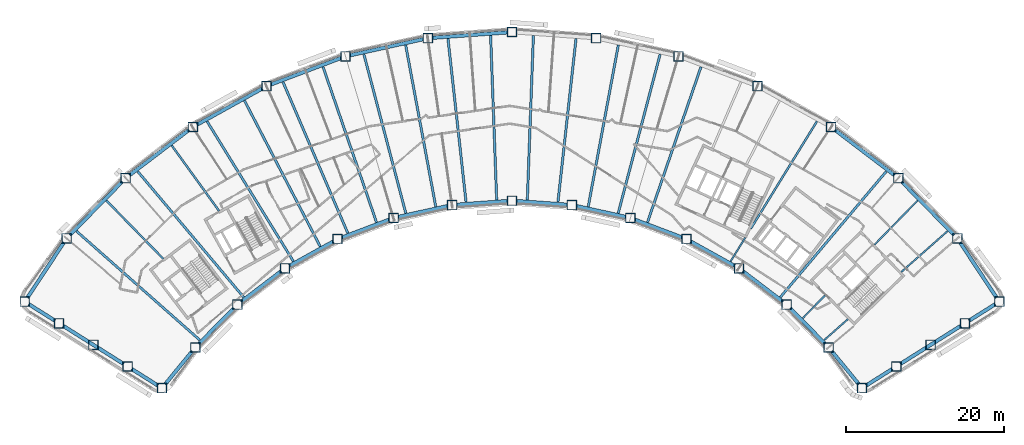
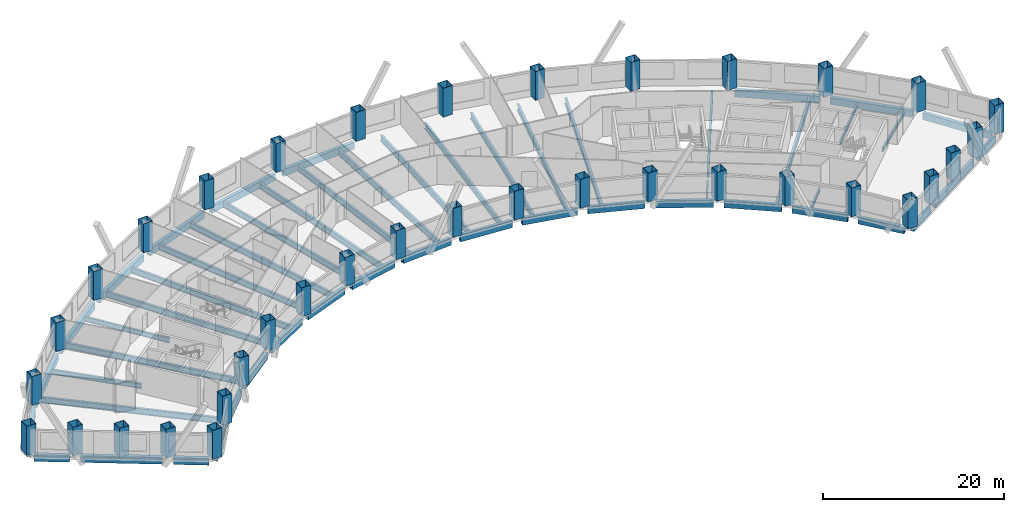
# One storey, part 1 of 12: 54 beams, 36 columns.
"""IFC4 building model written with IfcOpenShell, lengths in metres."""

from ifc_helpers import new_model, si_unit, direction, frame, origin, origin_2d, place, context, subcontext, project, spatial, hollow_rectangle, i_section, extrude, material, material_profile, profile_set, type_object, element, save


model = new_model("IFC4")

# Units and contexts
model_context = context("Model", 3, precision=1e-05, world=origin(), true_north=direction((0.0, 1.0)))
body_context = subcontext(model_context, "Body", "Model", "MODEL_VIEW")
ifc_project = project(units=[si_unit("LENGTHUNIT", "METRE"), si_unit("AREAUNIT", "SQUARE_METRE"), si_unit("VOLUMEUNIT", "CUBIC_METRE"), si_unit("PLANEANGLEUNIT", "RADIAN"), si_unit("MASSUNIT", "GRAM", prefix="KILO")], contexts=[model_context])

# Site, building, storey
site_placement = place(None, origin())
site = spatial("IfcSite", under=ifc_project, at=site_placement, CompositionType="ELEMENT")
building_placement = place(site_placement, origin())
building = spatial("IfcBuilding", under=site, at=building_placement, Name="Tuul Gate Civic Tower", CompositionType="ELEMENT")
storey_placement = place(building_placement, frame((0.0, 0.0, 73.800048828125)))
storey = spatial("IfcBuildingStorey", under=building, at=storey_placement, Name="Level 16", CompositionType="ELEMENT", Elevation=73.800048828125)

# Columns
ifc_material_1 = material(Name="Steel S355", Category="steel")
ifc_material_profile_1 = material_profile(ifc_material_1, hollow_rectangle(XDim=1.199951171875, YDim=1.199951171875, WallThickness=0.0400390625, at=origin_2d()), Name="BOX1200x1200x40")
ifc_profile_set_1 = profile_set([ifc_material_profile_1], Name="Steel S355")
column_type = type_object("IfcColumnType", Name="STR-COLUMN-BOX1200x1200x40", PredefinedType="COLUMN", material=ifc_profile_set_1)
for number, where, z_axis, x_axis, name in (
    (1, (66.47900390625, -15.4208984375, 0.0), (0.0, 0.0, 1.0), (1.0, 0.0, 0.0), "Column"),
    (2, (61.179931640625, -7.408935546875, 0.0), (0.0, 0.0, 1.0), (1.0, 0.0, 0.0), "Column"),
    (3, (53.7060546875, 0.216064453125, 0.0), (0.0, 0.0, 1.0), (1.0, 0.0, 0.0), "Column"),
    (4, (45.2109375, 6.68408203125, 0.0), (0.0, 0.0, 1.0), (1.0, 0.0, 0.0), "Column"),
    (5, (35.8720703125, 11.861083984375, 0.0), (0.0, 0.0, 1.0), (1.0, 0.0, 0.0), "Column"),
    (6, (25.885009765625, 15.636962890625, 0.0), (0.0, 0.0, 1.0), (1.0, 0.0, 0.0), "Column"),
    (7, (15.4580078125, 17.93505859375, 0.0), (0.0, 0.0, 1.0), (1.0, 0.0, 0.0), "Column"),
    (8, (4.80810546875, 18.70703125, 0.0), (0.0, 0.0, 1.0), (1.0, 0.0, 0.0), "Column"),
    (9, (-5.841064453125, 17.93505859375, 0.0), (0.0, 0.0, 1.0), (1.0, 0.0, 0.0), "Column"),
    (10, (-16.26806640625, 15.636962890625, 0.0), (0.0, 0.0, 1.0), (1.0, 0.0, 0.0), "Column"),
    (11, (-26.2548828125, 11.861083984375, 0.0), (0.0, 0.0, 1.0), (1.0, 0.0, 0.0), "Column"),
    (12, (-35.593994140625, 6.68408203125, 0.0), (0.0, 0.0, 1.0), (1.0, 0.0, 0.0), "Column"),
    (13, (-44.089111328125, 0.216064453125, 0.0), (0.0, 0.0, 1.0), (1.0, 0.0, 0.0), "Column"),
    (14, (-51.56396484375, -7.408935546875, 0.0), (0.0, 0.0, 1.0), (1.0, 0.0, 0.0), "Column"),
    (15, (-56.863037109375, -15.4208984375, 0.0), (0.0, 0.0, 1.0), (1.0, 0.0, 0.0), "Column"),
    (16, (-52.52001953125, -18.156005859375, 0.0), (0.0, 0.0, 1.0), (1.0, 0.0, 0.0), "Column"),
    (17, (-48.177978515625, -20.89111328125, 0.0), (0.0, 0.0, 1.0), (1.0, 0.0, 0.0), "Column"),
    (18, (-43.8349609375, -23.625, 0.0), (0.0, 0.0, 1.0), (1.0, 0.0, 0.0), "Column"),
    (19, (-39.492919921875, -26.360107421875, 0.0), (0.0, 0.0, 1.0), (1.0, 0.0, 0.0), "Column"),
    (20, (-35.27294921875, -21.218017578125, 0.0), (0.0, 0.0, 1.0), (1.0, 0.0, 0.0), "Column"),
    (21, (-29.9580078125, -15.7958984375, 0.0), (0.0, 0.0, 1.0), (1.0, 0.0, 0.0), "Column"),
    (22, (-23.91796875, -11.197021484375, 0.0), (0.0, 0.0, 1.0), (1.0, 0.0, 0.0), "Column"),
    (23, (-17.278076171875, -7.51708984375, 0.0), (0.0, 0.0, 1.0), (1.0, 0.0, 0.0), "Column"),
    (24, (-10.177001953125, -4.8310546875, 0.0), (0.0, 0.0, 1.0), (1.0, 0.0, 0.0), "Column"),
    (25, (-2.763916015625, -3.197998046875, 0.0), (0.0, 0.0, 1.0), (1.0, 0.0, 0.0), "Column"),
    (26, (4.80810546875, -2.64892578125, 0.0), (0.0, 0.0, 1.0), (1.0, 0.0, 0.0), "Column"),
    (27, (12.3798828125, -3.197998046875, 0.0), (0.0, 0.0, 1.0), (1.0, 0.0, 0.0), "Column"),
    (28, (19.7939453125, -4.8310546875, 0.0), (0.0, 0.0, 1.0), (1.0, 0.0, 0.0), "Column"),
    (29, (26.89501953125, -7.51708984375, 0.0), (0.0, 0.0, 1.0), (1.0, 0.0, 0.0), "Column"),
    (30, (33.534912109375, -11.197021484375, 0.0), (0.0, 0.0, 1.0), (1.0, 0.0, 0.0), "Column"),
    (31, (39.574951171875, -15.7958984375, 0.0), (0.0, 0.0, 1.0), (1.0, 0.0, 0.0), "Column"),
    (32, (44.888916015625, -21.218017578125, 0.0), (0.0, 0.0, 1.0), (1.0, 0.0, 0.0), "Column"),
    (33, (49.10888671875, -26.360107421875, 0.0), (0.0, 0.0, 1.0), (1.0, 0.0, 0.0), "Column"),
    (34, (53.451904296875, -23.625, 0.0), (0.0, 0.0, 1.0), (1.0, 0.0, 0.0), "Column"),
    (35, (57.7939453125, -20.89111328125, 0.0), (0.0, 0.0, 1.0), (1.0, 0.0, 0.0), "Column"),
    (36, (62.136962890625, -18.156005859375, 0.0), (0.0, 0.0, 1.0), (1.0, 0.0, 0.0), "Column"),
):
    element("IfcColumn", number, at=place(storey_placement, frame(where, z_axis=z_axis, x_axis=x_axis)), inside=storey, type_object=column_type, Name=name, PredefinedType="COLUMN", context=body_context, shape_type="SweptSolid", body=[
        extrude(hollow_rectangle(XDim=1.199951171875, YDim=1.199951171875, WallThickness=0.0400390625, at=origin_2d()), origin(), (0.0, 0.0, 1.0), 3.89990234375),
    ])

# Beams
ifc_material_2 = material(Name="Steel S355", Category="steel")
ifc_material_profile_2 = material_profile(ifc_material_2, i_section(OverallWidth=0.199951171875, OverallDepth=0.5, WebThickness=0.010009765625, FlangeThickness=0.01611328125, at=origin_2d()), Name="PG500x200x10x16")
ifc_profile_set_2 = profile_set([ifc_material_profile_2], Name="Steel S355")
beam_type_1 = type_object("IfcBeamType", Name="STR-FLOOR BEAM-PG500x200x10x16", PredefinedType="BEAM", material=ifc_profile_set_2)
beam_1_placement = place(storey_placement, frame((44.323486328125, -20.28369140625, -0.550048828125), z_axis=(0.749461130255, 0.662048347356, 0.0), x_axis=(-0.662048347356, 0.749461130255, 0.0)))
element("IfcBeam", 37, at=beam_1_placement, inside=storey, type_object=beam_type_1, Name="Floor beam", PredefinedType="BEAM", context=body_context, shape_type="SweptSolid", body=[
    extrude(i_section(OverallWidth=0.199951171875, OverallDepth=0.5, WebThickness=0.010009765625, FlangeThickness=0.01611328125, at=origin_2d()), origin(), (0.0, 0.0, 1.0), 4.0107421875),
])
beam_2_placement = place(storey_placement, frame((54.083251953125, -11.661865234375, -0.550048828125), z_axis=(0.749435188798, 0.662077712803, 0.0), x_axis=(-0.662077712803, 0.749435188798, 0.0)))
element("IfcBeam", 38, at=beam_2_placement, inside=storey, type_object=beam_type_1, Name="Floor beam", PredefinedType="BEAM", context=body_context, shape_type="SweptSolid", body=[
    extrude(i_section(OverallWidth=0.199951171875, OverallDepth=0.5, WebThickness=0.010009765625, FlangeThickness=0.01611328125, at=origin_2d()), origin(), (0.0, 0.0, 1.0), 7.8056640625),
])
beam_3_placement = place(storey_placement, frame((41.606201171875, -17.511474609375, -0.550048828125), z_axis=(0.698677872804, 0.71543639134, 0.0), x_axis=(-0.71543639134, 0.698677872804, 0.0)))
element("IfcBeam", 39, at=beam_3_placement, inside=storey, type_object=beam_type_1, Name="Floor beam", PredefinedType="BEAM", context=body_context, shape_type="SweptSolid", body=[
    extrude(i_section(OverallWidth=0.199951171875, OverallDepth=0.5, WebThickness=0.010009765625, FlangeThickness=0.01611328125, at=origin_2d()), origin(), (0.0, 0.0, 1.0), 4.00634765625),
])
beam_4_placement = place(storey_placement, frame((50.69482421875, -8.205078125, -0.550048828125), z_axis=(0.698665360958, 0.715448609893, 0.0), x_axis=(-0.715448609893, 0.698665360958, 0.0)))
element("IfcBeam", 40, at=beam_4_placement, inside=storey, type_object=beam_type_1, Name="Floor beam", PredefinedType="BEAM", context=body_context, shape_type="SweptSolid", body=[
    extrude(i_section(OverallWidth=0.199951171875, OverallDepth=0.5, WebThickness=0.010009765625, FlangeThickness=0.01611328125, at=origin_2d()), origin(), (0.0, 0.0, 1.0), 7.797119140625),
])
beam_5_placement = place(storey_placement, frame((32.47412109375, -10.3232421875, -0.550048828125), z_axis=(0.524881180779, 0.851175508379, 0.0), x_axis=(-0.851175508379, 0.524881180779, 0.0)))
element("IfcBeam", 41, at=beam_5_placement, inside=storey, type_object=beam_type_1, Name="Floor beam", PredefinedType="BEAM", context=body_context, shape_type="SweptSolid", body=[
    extrude(i_section(OverallWidth=0.199951171875, OverallDepth=0.5, WebThickness=0.010009765625, FlangeThickness=0.01611328125, at=origin_2d()), origin(), (0.0, 0.0, 1.0), 3.527099609375),
])
ifc_material_3 = material(Name="Steel S355", Category="steel")
ifc_material_profile_3 = material_profile(ifc_material_3, i_section(OverallWidth=0.25, OverallDepth=0.64990234375, WebThickness=0.011962890625, FlangeThickness=0.02001953125, at=origin_2d()), Name="PG650x250x12x20")
ifc_profile_set_3 = profile_set([ifc_material_profile_3], Name="Steel S355")
beam_type_2 = type_object("IfcBeamType", Name="STR-FLOOR BEAM-PG650x250x12x20", PredefinedType="BEAM", material=ifc_profile_set_3)
beam_6_placement = place(storey_placement, frame((35.022216796875, -6.19091796875, -0.625), z_axis=(0.52485048584, 0.851194435786, 0.0), x_axis=(-0.851194435786, 0.52485048584, 0.0)))
element("IfcBeam", 42, at=beam_6_placement, inside=storey, type_object=beam_type_2, Name="Floor beam", PredefinedType="BEAM", context=body_context, shape_type="SweptSolid", body=[
    extrude(i_section(OverallWidth=0.25, OverallDepth=0.64990234375, WebThickness=0.011962890625, FlangeThickness=0.02001953125, at=origin_2d()), origin(), (0.0, 0.0, 1.0), 15.967529296875),
])
beam_7_placement = place(storey_placement, frame((-32.2705078125, -3.930419921875, -0.625), z_axis=(-0.586085724812, 0.81024905009, 0.0), x_axis=(-0.81024905009, -0.586085724812, 0.0)))
element("IfcBeam", 43, at=beam_7_placement, inside=storey, type_object=beam_type_2, Name="Floor beam", PredefinedType="BEAM", context=body_context, shape_type="SweptSolid", body=[
    extrude(i_section(OverallWidth=0.25, OverallDepth=0.64990234375, WebThickness=0.011962890625, FlangeThickness=0.02001953125, at=origin_2d()), origin(), (0.0, 0.0, 1.0), 10.211669921875),
])
beam_8_placement = place(storey_placement, frame((-39.3271484375, -9.998291015625, -0.625), z_axis=(-0.698680863585, 0.715433470604, 0.0), x_axis=(-0.715433470604, -0.698680863585, 0.0)))
element("IfcBeam", 44, at=beam_8_placement, inside=storey, type_object=beam_type_2, Name="Floor beam", PredefinedType="BEAM", context=body_context, shape_type="SweptSolid", body=[
    extrude(i_section(OverallWidth=0.25, OverallDepth=0.64990234375, WebThickness=0.011962890625, FlangeThickness=0.02001953125, at=origin_2d()), origin(), (0.0, 0.0, 1.0), 10.30322265625),
])
ifc_material_4 = material(Name="Steel S355", Category="steel")
ifc_material_profile_4 = material_profile(ifc_material_4, i_section(OverallWidth=0.300048828125, OverallDepth=0.800048828125, WebThickness=0.013916015625, FlangeThickness=0.02490234375, at=origin_2d()), Name="PG800x300x14x25")
ifc_profile_set_4 = profile_set([ifc_material_profile_4], Name="Steel S355")
beam_type_3 = type_object("IfcBeamType", Name="STR-FLOOR BEAM-PG800x300x14x25", PredefinedType="BEAM", material=ifc_profile_set_4)
beam_9_placement = place(storey_placement, frame((38.76611328125, -14.86572265625, -0.699951171875), z_axis=(0.644123110179, 0.764921838447, 0.0), x_axis=(-0.764921838447, 0.644123110179, 0.0)))
element("IfcBeam", 45, at=beam_9_placement, inside=storey, type_object=beam_type_3, Name="Floor beam", PredefinedType="BEAM", context=body_context, shape_type="SweptSolid", body=[
    extrude(i_section(OverallWidth=0.300048828125, OverallDepth=0.800048828125, WebThickness=0.013916015625, FlangeThickness=0.02490234375, at=origin_2d()), origin(), (0.0, 0.0, 1.0), 20.824951171875),
])
beam_10_placement = place(storey_placement, frame((21.954345703125, -5.380859375, -0.699951171875), z_axis=(0.325483706592, 0.945547649113, 0.0), x_axis=(-0.945547649113, 0.325483706592, 0.0)))
element("IfcBeam", 46, at=beam_10_placement, inside=storey, type_object=beam_type_3, Name="Floor beam", PredefinedType="BEAM", context=body_context, shape_type="SweptSolid", body=[
    extrude(i_section(OverallWidth=0.300048828125, OverallDepth=0.800048828125, WebThickness=0.013916015625, FlangeThickness=0.02490234375, at=origin_2d()), origin(), (0.0, 0.0, 1.0), 20.808837890625),
])
beam_11_placement = place(storey_placement, frame((18.246826171875, -4.234130859375, -0.699951171875), z_axis=(0.255002430405, 0.966940412067, 0.0), x_axis=(-0.966940412067, 0.255002430405, 0.0)))
element("IfcBeam", 47, at=beam_11_placement, inside=storey, type_object=beam_type_3, Name="Floor beam", PredefinedType="BEAM", context=body_context, shape_type="SweptSolid", body=[
    extrude(i_section(OverallWidth=0.300048828125, OverallDepth=0.800048828125, WebThickness=0.013916015625, FlangeThickness=0.02490234375, at=origin_2d()), origin(), (0.0, 0.0, 1.0), 20.81689453125),
])
beam_12_placement = place(storey_placement, frame((14.45654296875, -3.3994140625, -0.699951171875), z_axis=(0.1831360046, 0.983087587054, 0.0), x_axis=(-0.983087587054, 0.1831360046, 0.0)))
element("IfcBeam", 48, at=beam_12_placement, inside=storey, type_object=beam_type_3, Name="Floor beam", PredefinedType="BEAM", context=body_context, shape_type="SweptSolid", body=[
    extrude(i_section(OverallWidth=0.300048828125, OverallDepth=0.800048828125, WebThickness=0.013916015625, FlangeThickness=0.02490234375, at=origin_2d()), origin(), (0.0, 0.0, 1.0), 20.811279296875),
])
beam_13_placement = place(storey_placement, frame((10.619384765625, -2.819580078125, -0.699951171875), z_axis=(0.1102757583, 0.993901029847, 0.0), x_axis=(-0.993901029847, 0.1102757583, 0.0)))
element("IfcBeam", 49, at=beam_13_placement, inside=storey, type_object=beam_type_3, Name="Floor beam", PredefinedType="BEAM", context=body_context, shape_type="SweptSolid", body=[
    extrude(i_section(OverallWidth=0.300048828125, OverallDepth=0.800048828125, WebThickness=0.013916015625, FlangeThickness=0.02490234375, at=origin_2d()), origin(), (0.0, 0.0, 1.0), 20.815185546875),
])
for number, where, z_axis, x_axis, name in (
    (50, (6.74853515625, -2.5390625, -0.699951171875), (0.036832478792, 0.999321454041, 0.0), (-0.999321454041, 0.036832478792, 0.0), "Floor beam"),
    (51, (2.867919921875, -2.5390625, -0.699951171875), (-0.036832478792, 0.999321454041, 0.0), (-0.999321454041, -0.036832478792, 0.0), "Floor beam"),
):
    element("IfcBeam", number, at=place(storey_placement, frame(where, z_axis=z_axis, x_axis=x_axis)), inside=storey, type_object=beam_type_3, Name=name, PredefinedType="BEAM", context=body_context, shape_type="SweptSolid", body=[
        extrude(i_section(OverallWidth=0.300048828125, OverallDepth=0.800048828125, WebThickness=0.013916015625, FlangeThickness=0.02490234375, at=origin_2d()), origin(), (0.0, 0.0, 1.0), 20.813232421875),
    ])
beam_14_placement = place(storey_placement, frame((-1.0029296875, -2.819580078125, -0.699951171875), z_axis=(-0.110287344613, 0.993899744249, 0.0), x_axis=(-0.993899744249, -0.110287344613, 0.0)))
element("IfcBeam", 52, at=beam_14_placement, inside=storey, type_object=beam_type_3, Name="Floor beam", PredefinedType="BEAM", context=body_context, shape_type="SweptSolid", body=[
    extrude(i_section(OverallWidth=0.300048828125, OverallDepth=0.800048828125, WebThickness=0.013916015625, FlangeThickness=0.02490234375, at=origin_2d()), origin(), (0.0, 0.0, 1.0), 20.815185546875),
])
beam_15_placement = place(storey_placement, frame((-4.84033203125, -3.3994140625, -0.699951171875), z_axis=(-0.183138116697, 0.983087193596, 0.0), x_axis=(-0.983087193596, -0.183138116697, 0.0)))
element("IfcBeam", 53, at=beam_15_placement, inside=storey, type_object=beam_type_3, Name="Floor beam", PredefinedType="BEAM", context=body_context, shape_type="SweptSolid", body=[
    extrude(i_section(OverallWidth=0.300048828125, OverallDepth=0.800048828125, WebThickness=0.013916015625, FlangeThickness=0.02490234375, at=origin_2d()), origin(), (0.0, 0.0, 1.0), 20.81103515625),
])
beam_16_placement = place(storey_placement, frame((-8.63037109375, -4.234375, -0.699951171875), z_axis=(-0.255002430405, 0.966940412067, 0.0), x_axis=(-0.966940412067, -0.255002430405, 0.0)))
element("IfcBeam", 54, at=beam_16_placement, inside=storey, type_object=beam_type_3, Name="Floor beam", PredefinedType="BEAM", context=body_context, shape_type="SweptSolid", body=[
    extrude(i_section(OverallWidth=0.300048828125, OverallDepth=0.800048828125, WebThickness=0.013916015625, FlangeThickness=0.02490234375, at=origin_2d()), origin(), (0.0, 0.0, 1.0), 20.81689453125),
])
beam_17_placement = place(storey_placement, frame((-12.337890625, -5.381103515625, -0.699951171875), z_axis=(-0.325490585261, 0.945545281257, 0.0), x_axis=(-0.945545281257, -0.325490585261, 0.0)))
element("IfcBeam", 55, at=beam_17_placement, inside=storey, type_object=beam_type_3, Name="Floor beam", PredefinedType="BEAM", context=body_context, shape_type="SweptSolid", body=[
    extrude(i_section(OverallWidth=0.300048828125, OverallDepth=0.800048828125, WebThickness=0.013916015625, FlangeThickness=0.02490234375, at=origin_2d()), origin(), (0.0, 0.0, 1.0), 20.80908203125),
])
beam_18_placement = place(storey_placement, frame((-15.968017578125, -6.754150390625, -0.699951171875), z_axis=(-0.39421223202, 0.919019431854, 0.0), x_axis=(-0.919019431854, -0.39421223202, 0.0)))
element("IfcBeam", 56, at=beam_18_placement, inside=storey, type_object=beam_type_3, Name="Floor beam", PredefinedType="BEAM", context=body_context, shape_type="SweptSolid", body=[
    extrude(i_section(OverallWidth=0.300048828125, OverallDepth=0.800048828125, WebThickness=0.013916015625, FlangeThickness=0.02490234375, at=origin_2d()), origin(), (0.0, 0.0, 1.0), 20.820068359375),
])
beam_19_placement = place(storey_placement, frame((-19.462890625, -8.442138671875, -0.699951171875), z_axis=(-0.460776704907, 0.887516100257, 0.0), x_axis=(-0.887516100257, -0.460776704907, 0.0)))
element("IfcBeam", 57, at=beam_19_placement, inside=storey, type_object=beam_type_3, Name="Floor beam", PredefinedType="BEAM", context=body_context, shape_type="SweptSolid", body=[
    extrude(i_section(OverallWidth=0.300048828125, OverallDepth=0.800048828125, WebThickness=0.013916015625, FlangeThickness=0.02490234375, at=origin_2d()), origin(), (0.0, 0.0, 1.0), 20.80810546875),
])
beam_20_placement = place(storey_placement, frame((-22.857666015625, -10.323486328125, -0.699951171875), z_axis=(-0.524858688135, 0.851189378158, 0.0), x_axis=(-0.851189378158, -0.524858688135, 0.0)))
element("IfcBeam", 58, at=beam_20_placement, inside=storey, type_object=beam_type_3, Name="Floor beam", PredefinedType="BEAM", context=body_context, shape_type="SweptSolid", body=[
    extrude(i_section(OverallWidth=0.300048828125, OverallDepth=0.800048828125, WebThickness=0.013916015625, FlangeThickness=0.02490234375, at=origin_2d()), origin(), (0.0, 0.0, 1.0), 20.822265625),
])
beam_21_placement = place(storey_placement, frame((-29.1494140625, -14.8662109375, -0.699951171875), z_axis=(-0.644129969572, 0.764916062257, 0.0), x_axis=(-0.764916062257, -0.644129969572, 0.0)))
element("IfcBeam", 59, at=beam_21_placement, inside=storey, type_object=beam_type_3, Name="Floor beam", PredefinedType="BEAM", context=body_context, shape_type="SweptSolid", body=[
    extrude(i_section(OverallWidth=0.300048828125, OverallDepth=0.800048828125, WebThickness=0.013916015625, FlangeThickness=0.02490234375, at=origin_2d()), origin(), (0.0, 0.0, 1.0), 20.8251953125),
])
beam_22_placement = place(storey_placement, frame((-34.707275390625, -20.28369140625, -0.699951171875), z_axis=(-0.749442289346, 0.662069675291, 0.0), x_axis=(-0.662069675291, -0.749442289346, 0.0)))
element("IfcBeam", 60, at=beam_22_placement, inside=storey, type_object=beam_type_3, Name="Floor beam", PredefinedType="BEAM", context=body_context, shape_type="SweptSolid", body=[
    extrude(i_section(OverallWidth=0.300048828125, OverallDepth=0.800048828125, WebThickness=0.013916015625, FlangeThickness=0.02490234375, at=origin_2d()), origin(), (0.0, 0.0, 1.0), 20.828369140625),
])
ifc_material_5 = material(Name="Steel S355", Category="steel")
ifc_material_profile_5 = material_profile(ifc_material_5, hollow_rectangle(XDim=0.449951171875, YDim=0.89990234375, WallThickness=0.02490234375, at=origin_2d()), Name="BOX900x450x25")
ifc_profile_set_5 = profile_set([ifc_material_profile_5], Name="Steel S355")
beam_type_4 = type_object("IfcBeamType", Name="STR-SPANDREL BEAM-BOX900x450x25", PredefinedType="BEAM", material=ifc_profile_set_5)
beam_23_placement = place(storey_placement, frame((66.14794921875, -14.920654296875, -0.75), z_axis=(-0.551633408665, 0.834086675619, 0.0), x_axis=(-0.834086675619, -0.551633408665, 0.0)))
element("IfcBeam", 61, at=beam_23_placement, inside=storey, type_object=beam_type_4, Name="Spandrel beam", PredefinedType="BEAM", context=body_context, shape_type="SweptSolid", body=[
    extrude(hollow_rectangle(XDim=0.449951171875, YDim=0.89990234375, WallThickness=0.02490234375, at=origin_2d()), origin(), (0.0, 0.0, 1.0), 8.40576171875),
])
beam_24_placement = place(storey_placement, frame((60.760009765625, -6.98046875, -0.75), z_axis=(-0.700000063817, 0.714142780301, 0.0), x_axis=(-0.714142780301, -0.700000063817, 0.0)))
element("IfcBeam", 62, at=beam_24_placement, inside=storey, type_object=beam_type_4, Name="Spandrel beam", PredefinedType="BEAM", context=body_context, shape_type="SweptSolid", body=[
    extrude(hollow_rectangle(XDim=0.449951171875, YDim=0.89990234375, WallThickness=0.02490234375, at=origin_2d()), origin(), (0.0, 0.0, 1.0), 9.477294921875),
])
beam_25_placement = place(storey_placement, frame((53.228515625, 0.57958984375, -0.75), z_axis=(-0.795626241327, 0.605787821033, 0.0), x_axis=(-0.605787821033, -0.795626241327, 0.0)))
element("IfcBeam", 63, at=beam_25_placement, inside=storey, type_object=beam_type_4, Name="Spandrel beam", PredefinedType="BEAM", context=body_context, shape_type="SweptSolid", body=[
    extrude(hollow_rectangle(XDim=0.449951171875, YDim=0.89990234375, WallThickness=0.02490234375, at=origin_2d()), origin(), (0.0, 0.0, 1.0), 9.476806640625),
])
beam_26_placement = place(storey_placement, frame((4.20947265625, 18.66357421875, -0.75), z_axis=(-0.99738202317, -0.072312515214, 0.0), x_axis=(0.072312515214, -0.99738202317, 0.0)))
element("IfcBeam", 64, at=beam_26_placement, inside=storey, type_object=beam_type_4, Name="Spandrel beam", PredefinedType="BEAM", context=body_context, shape_type="SweptSolid", body=[
    extrude(hollow_rectangle(XDim=0.449951171875, YDim=0.89990234375, WallThickness=0.02490234375, at=origin_2d()), origin(), (0.0, 0.0, 1.0), 9.47705078125),
])
beam_27_placement = place(storey_placement, frame((-6.427001953125, 17.805908203125, -0.75), z_axis=(-0.97656320303, -0.215230830708, 0.0), x_axis=(0.215230830708, -0.97656320303, 0.0)))
element("IfcBeam", 65, at=beam_27_placement, inside=storey, type_object=beam_type_4, Name="Spandrel beam", PredefinedType="BEAM", context=body_context, shape_type="SweptSolid", body=[
    extrude(hollow_rectangle(XDim=0.449951171875, YDim=0.89990234375, WallThickness=0.02490234375, at=origin_2d()), origin(), (0.0, 0.0, 1.0), 9.477294921875),
])
beam_28_placement = place(storey_placement, frame((-16.829345703125, 15.4248046875, -0.75), z_axis=(-0.935376104649, -0.353654552993, 0.0), x_axis=(0.353654552993, -0.935376104649, 0.0)))
element("IfcBeam", 66, at=beam_28_placement, inside=storey, type_object=beam_type_4, Name="Spandrel beam", PredefinedType="BEAM", context=body_context, shape_type="SweptSolid", body=[
    extrude(hollow_rectangle(XDim=0.449951171875, YDim=0.89990234375, WallThickness=0.02490234375, at=origin_2d()), origin(), (0.0, 0.0, 1.0), 9.47705078125),
])
beam_29_placement = place(storey_placement, frame((-26.77978515625, 11.570068359375, -0.75), z_axis=(-0.874608888761, -0.484829136604, 0.0), x_axis=(0.484829136604, -0.874608888761, 0.0)))
element("IfcBeam", 67, at=beam_29_placement, inside=storey, type_object=beam_type_4, Name="Spandrel beam", PredefinedType="BEAM", context=body_context, shape_type="SweptSolid", body=[
    extrude(hollow_rectangle(XDim=0.449951171875, YDim=0.89990234375, WallThickness=0.02490234375, at=origin_2d()), origin(), (0.0, 0.0, 1.0), 9.47802734375),
])
beam_30_placement = place(storey_placement, frame((-36.0712890625, 6.320556640625, -0.75), z_axis=(-0.795635695058, -0.605775404543, 0.0), x_axis=(0.605775404543, -0.795635695058, 0.0)))
element("IfcBeam", 68, at=beam_30_placement, inside=storey, type_object=beam_type_4, Name="Spandrel beam", PredefinedType="BEAM", context=body_context, shape_type="SweptSolid", body=[
    extrude(hollow_rectangle(XDim=0.449951171875, YDim=0.89990234375, WallThickness=0.02490234375, at=origin_2d()), origin(), (0.0, 0.0, 1.0), 9.47705078125),
])
beam_31_placement = place(storey_placement, frame((-44.509033203125, -0.21240234375, -0.75), z_axis=(-0.700052610293, -0.714091270653, 0.0), x_axis=(0.714091270653, -0.700052610293, 0.0)))
element("IfcBeam", 69, at=beam_31_placement, inside=storey, type_object=beam_type_4, Name="Spandrel beam", PredefinedType="BEAM", context=body_context, shape_type="SweptSolid", body=[
    extrude(hollow_rectangle(XDim=0.449951171875, YDim=0.89990234375, WallThickness=0.02490234375, at=origin_2d()), origin(), (0.0, 0.0, 1.0), 9.477783203125),
])
beam_32_placement = place(storey_placement, frame((-51.89501953125, -7.909423828125, -0.75), z_axis=(-0.551633408665, -0.834086675619, 0.0), x_axis=(0.834086675619, -0.551633408665, 0.0)))
element("IfcBeam", 70, at=beam_32_placement, inside=storey, type_object=beam_type_4, Name="Spandrel beam", PredefinedType="BEAM", context=body_context, shape_type="SweptSolid", body=[
    extrude(hollow_rectangle(XDim=0.449951171875, YDim=0.89990234375, WallThickness=0.02490234375, at=origin_2d()), origin(), (0.0, 0.0, 1.0), 8.40576171875),
])
beam_33_placement = place(storey_placement, frame((-56.355224609375, -15.74072265625, -0.75), z_axis=(0.846183069254, -0.532892309297, 0.0), x_axis=(0.532892309297, 0.846183069254, 0.0)))
element("IfcBeam", 71, at=beam_33_placement, inside=storey, type_object=beam_type_4, Name="Spandrel beam", PredefinedType="BEAM", context=body_context, shape_type="SweptSolid", body=[
    extrude(hollow_rectangle(XDim=0.449951171875, YDim=0.89990234375, WallThickness=0.02490234375, at=origin_2d()), origin(), (0.0, 0.0, 1.0), 3.93212890625),
])
beam_34_placement = place(storey_placement, frame((-52.01220703125, -18.475830078125, -0.75), z_axis=(0.846210797287, -0.532848277237, 0.0), x_axis=(0.532848277237, 0.846210797287, 0.0)))
element("IfcBeam", 72, at=beam_34_placement, inside=storey, type_object=beam_type_4, Name="Spandrel beam", PredefinedType="BEAM", context=body_context, shape_type="SweptSolid", body=[
    extrude(hollow_rectangle(XDim=0.449951171875, YDim=0.89990234375, WallThickness=0.02490234375, at=origin_2d()), origin(), (0.0, 0.0, 1.0), 9.063232421875),
])
beam_35_placement = place(storey_placement, frame((-43.327392578125, -23.94482421875, -0.75), z_axis=(0.846130163467, -0.532976309484, 0.0), x_axis=(0.532976309484, 0.846130163467, 0.0)))
element("IfcBeam", 73, at=beam_35_placement, inside=storey, type_object=beam_type_4, Name="Spandrel beam", PredefinedType="BEAM", context=body_context, shape_type="SweptSolid", body=[
    extrude(hollow_rectangle(XDim=0.449951171875, YDim=0.89990234375, WallThickness=0.02490234375, at=origin_2d()), origin(), (0.0, 0.0, 1.0), 3.931640625),
])
beam_36_placement = place(storey_placement, frame((-39.1123046875, -25.896240234375, -0.75), z_axis=(0.634405130356, 0.773000731292, 0.0), x_axis=(-0.773000731292, 0.634405130356, 0.0)))
element("IfcBeam", 74, at=beam_36_placement, inside=storey, type_object=beam_type_4, Name="Spandrel beam", PredefinedType="BEAM", context=body_context, shape_type="SweptSolid", body=[
    extrude(hollow_rectangle(XDim=0.449951171875, YDim=0.89990234375, WallThickness=0.02490234375, at=origin_2d()), origin(), (0.0, 0.0, 1.0), 5.451904296875),
])
beam_37_placement = place(storey_placement, frame((-34.85302734375, -20.78955078125, -0.75), z_axis=(0.70002559028, 0.714117758464, 0.0), x_axis=(-0.714117758464, 0.70002559028, 0.0)))
element("IfcBeam", 75, at=beam_37_placement, inside=storey, type_object=beam_type_4, Name="Spandrel beam", PredefinedType="BEAM", context=body_context, shape_type="SweptSolid", body=[
    extrude(hollow_rectangle(XDim=0.449951171875, YDim=0.89990234375, WallThickness=0.02490234375, at=origin_2d()), origin(), (0.0, 0.0, 1.0), 6.392822265625),
])
for number, where, z_axis, x_axis, name in (
    (76, (-29.480712890625, -15.4326171875, -0.75), (0.79562457822, 0.605790005308, 0.0), (-0.605790005308, 0.79562457822, 0.0), "Spandrel beam"),
    (77, (-23.393310546875, -10.90625, -0.75), (0.87465408875, 0.484747588992, 0.0), (-0.484747588992, 0.87465408875, 0.0), "Spandrel beam"),
    (78, (-16.716796875, -7.3046875, -0.75), (0.9353207628, 0.353800891286, 0.0), (-0.353800891286, 0.9353207628, 0.0), "Spandrel beam"),
):
    element("IfcBeam", number, at=place(storey_placement, frame(where, z_axis=z_axis, x_axis=x_axis)), inside=storey, type_object=beam_type_4, Name=name, PredefinedType="BEAM", context=body_context, shape_type="SweptSolid", body=[
        extrude(hollow_rectangle(XDim=0.449951171875, YDim=0.89990234375, WallThickness=0.02490234375, at=origin_2d()), origin(), (0.0, 0.0, 1.0), 6.391845703125),
    ])
beam_38_placement = place(storey_placement, frame((-9.591064453125, -4.701904296875, -0.75), z_axis=(0.976588960757, 0.215113927321, 0.0), x_axis=(-0.215113927321, 0.976588960757, 0.0)))
element("IfcBeam", 79, at=beam_38_placement, inside=storey, type_object=beam_type_4, Name="Spandrel beam", PredefinedType="BEAM", context=body_context, shape_type="SweptSolid", body=[
    extrude(hollow_rectangle(XDim=0.449951171875, YDim=0.89990234375, WallThickness=0.02490234375, at=origin_2d()), origin(), (0.0, 0.0, 1.0), 6.390869140625),
])
for number, where, z_axis, x_axis, name in (
    (80, (-2.16552734375, -3.154541015625, -0.75), (0.997382520948, 0.072305649209, 0.0), (-0.072305649209, 0.997382520948, 0.0), "Spandrel beam"),
    (81, (5.406494140625, -2.6923828125, -0.75), (0.997382520948, -0.072305649209, 0.0), (0.072305649209, 0.997382520948, 0.0), "Spandrel beam"),
):
    element("IfcBeam", number, at=place(storey_placement, frame(where, z_axis=z_axis, x_axis=x_axis)), inside=storey, type_object=beam_type_4, Name=name, PredefinedType="BEAM", context=body_context, shape_type="SweptSolid", body=[
        extrude(hollow_rectangle(XDim=0.449951171875, YDim=0.89990234375, WallThickness=0.02490234375, at=origin_2d()), origin(), (0.0, 0.0, 1.0), 6.391845703125),
    ])
beam_39_placement = place(storey_placement, frame((12.966064453125, -3.3271484375, -0.75), z_axis=(0.976594263107, -0.215089853935, 0.0), x_axis=(0.215089853935, 0.976594263107, 0.0)))
element("IfcBeam", 82, at=beam_39_placement, inside=storey, type_object=beam_type_4, Name="Spandrel beam", PredefinedType="BEAM", context=body_context, shape_type="SweptSolid", body=[
    extrude(hollow_rectangle(XDim=0.449951171875, YDim=0.89990234375, WallThickness=0.02490234375, at=origin_2d()), origin(), (0.0, 0.0, 1.0), 6.3916015625),
])
for number, where, z_axis, x_axis, name in (
    (83, (20.355224609375, -5.043212890625, -0.75), (0.9353207628, -0.353800891286, 0.0), (0.353800891286, 0.9353207628, 0.0), "Spandrel beam"),
    (84, (27.419677734375, -7.807861328125, -0.75), (0.87465408875, -0.484747588992, 0.0), (0.484747588992, 0.87465408875, 0.0), "Spandrel beam"),
):
    element("IfcBeam", number, at=place(storey_placement, frame(where, z_axis=z_axis, x_axis=x_axis)), inside=storey, type_object=beam_type_4, Name=name, PredefinedType="BEAM", context=body_context, shape_type="SweptSolid", body=[
        extrude(hollow_rectangle(XDim=0.449951171875, YDim=0.89990234375, WallThickness=0.02490234375, at=origin_2d()), origin(), (0.0, 0.0, 1.0), 6.391845703125),
    ])
beam_40_placement = place(storey_placement, frame((34.012451171875, -11.560546875, -0.75), z_axis=(0.795610560321, -0.605808415512, 0.0), x_axis=(0.605808415512, 0.795610560321, 0.0)))
element("IfcBeam", 85, at=beam_40_placement, inside=storey, type_object=beam_type_4, Name="Spandrel beam", PredefinedType="BEAM", context=body_context, shape_type="SweptSolid", body=[
    extrude(hollow_rectangle(XDim=0.449951171875, YDim=0.89990234375, WallThickness=0.02490234375, at=origin_2d()), origin(), (0.0, 0.0, 1.0), 6.3916015625),
])
beam_41_placement = place(storey_placement, frame((39.994873046875, -16.224609375, -0.75), z_axis=(0.699966768849, -0.714175414381, 0.0), x_axis=(0.714175414381, 0.699966768849, 0.0)))
element("IfcBeam", 86, at=beam_41_placement, inside=storey, type_object=beam_type_4, Name="Spandrel beam", PredefinedType="BEAM", context=body_context, shape_type="SweptSolid", body=[
    extrude(hollow_rectangle(XDim=0.449951171875, YDim=0.89990234375, WallThickness=0.02490234375, at=origin_2d()), origin(), (0.0, 0.0, 1.0), 6.391845703125),
])
beam_42_placement = place(storey_placement, frame((45.26953125, -21.681884765625, -0.75), z_axis=(0.634405130356, -0.773000731292, 0.0), x_axis=(0.773000731292, 0.634405130356, 0.0)))
element("IfcBeam", 87, at=beam_42_placement, inside=storey, type_object=beam_type_4, Name="Spandrel beam", PredefinedType="BEAM", context=body_context, shape_type="SweptSolid", body=[
    extrude(hollow_rectangle(XDim=0.449951171875, YDim=0.89990234375, WallThickness=0.02490234375, at=origin_2d()), origin(), (0.0, 0.0, 1.0), 5.451904296875),
])
beam_43_placement = place(storey_placement, frame((49.61669921875, -26.040283203125, -0.75), z_axis=(0.846200698958, 0.532864313951, 0.0), x_axis=(-0.532864313951, 0.846200698958, 0.0)))
element("IfcBeam", 88, at=beam_43_placement, inside=storey, type_object=beam_type_4, Name="Spandrel beam", PredefinedType="BEAM", context=body_context, shape_type="SweptSolid", body=[
    extrude(hollow_rectangle(XDim=0.449951171875, YDim=0.89990234375, WallThickness=0.02490234375, at=origin_2d()), origin(), (0.0, 0.0, 1.0), 3.932373046875),
])
beam_44_placement = place(storey_placement, frame((53.959716796875, -23.30517578125, -0.75), z_axis=(0.846218445282, 0.532836131343, 0.0), x_axis=(-0.532836131343, 0.846218445282, 0.0)))
element("IfcBeam", 89, at=beam_44_placement, inside=storey, type_object=beam_type_4, Name="Spandrel beam", PredefinedType="BEAM", context=body_context, shape_type="SweptSolid", body=[
    extrude(hollow_rectangle(XDim=0.449951171875, YDim=0.89990234375, WallThickness=0.02490234375, at=origin_2d()), origin(), (0.0, 0.0, 1.0), 9.0634765625),
])
beam_45_placement = place(storey_placement, frame((62.644775390625, -17.836181640625, -0.75), z_axis=(0.846130163467, 0.532976309484, 0.0), x_axis=(-0.532976309484, 0.846130163467, 0.0)))
element("IfcBeam", 90, at=beam_45_placement, inside=storey, type_object=beam_type_4, Name="Spandrel beam", PredefinedType="BEAM", context=body_context, shape_type="SweptSolid", body=[
    extrude(hollow_rectangle(XDim=0.449951171875, YDim=0.89990234375, WallThickness=0.02490234375, at=origin_2d()), origin(), (0.0, 0.0, 1.0), 3.931640625),
])

save(model, "model.ifc")
